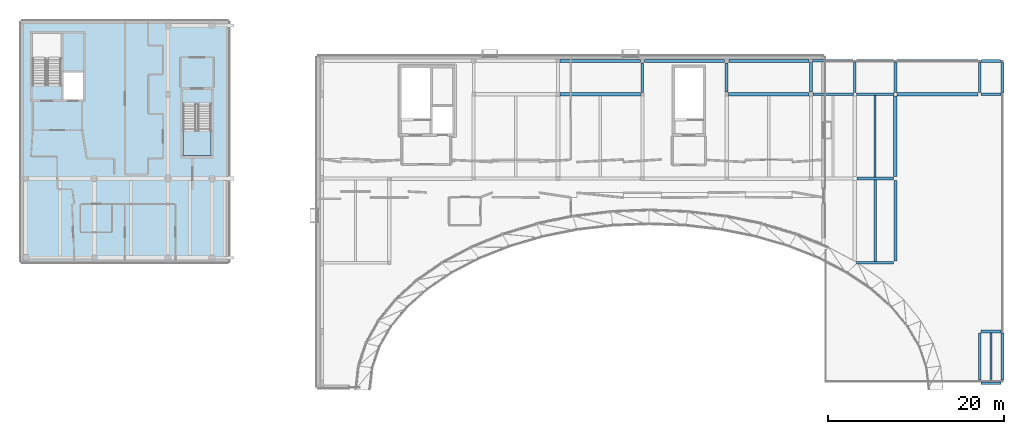
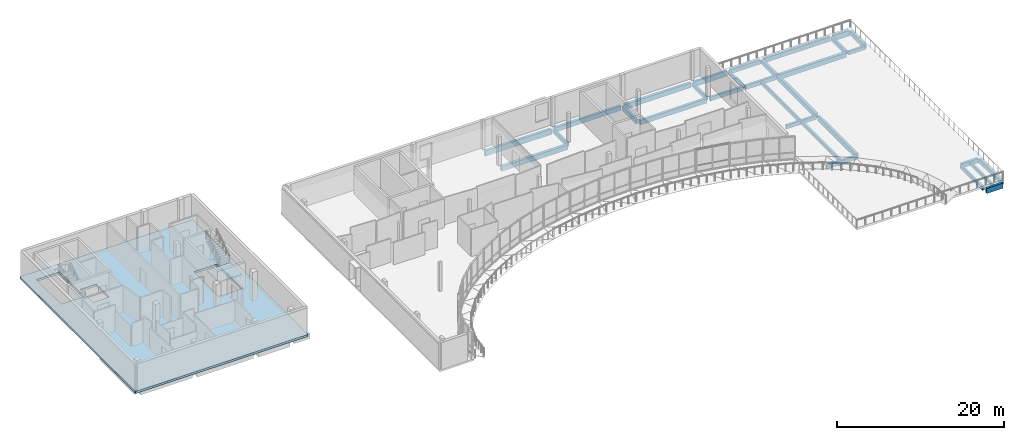
# One storey, part 8 of 18: 31 beams, 2 slabs, 1 element without a shape of its own.
"""IFC4 building model written with IfcOpenShell, lengths in metres."""

from ifc_helpers import new_model, si_unit, direction, frame, origin, origin_2d, place, context, subcontext, project, spatial, polyline, rectangle, outline, extrude, material, layer, layer_set, material_profile, profile_set, type_object, element, aggregate, save


model = new_model("IFC4")

# Units and contexts
model_context = context("Model", 3, precision=1e-05, world=origin(), true_north=direction((0.0, 1.0)))
body_context = subcontext(model_context, "Body", "Model", "MODEL_VIEW")
ifc_project = project(units=[si_unit("LENGTHUNIT", "METRE"), si_unit("AREAUNIT", "SQUARE_METRE"), si_unit("VOLUMEUNIT", "CUBIC_METRE"), si_unit("PLANEANGLEUNIT", "RADIAN"), si_unit("MASSUNIT", "GRAM", prefix="KILO")], contexts=[model_context])

# Site, building, storey
site_placement = place(None, origin())
site = spatial("IfcSite", under=ifc_project, at=site_placement, CompositionType="ELEMENT")
building_placement = place(site_placement, origin())
building = spatial("IfcBuilding", under=site, at=building_placement, Name="Mzevani Central Library", CompositionType="ELEMENT")
storey_placement = place(building_placement, frame((0.0, 0.0, 18.300048828125)))
storey = spatial("IfcBuildingStorey", under=building, at=storey_placement, Name="L04", CompositionType="ELEMENT", Elevation=18.300048828125)

# Beams
ifc_material_1 = material(Name="Concrete C35/45", Category="concrete")
ifc_material_profile_1 = material_profile(ifc_material_1, rectangle(XDim=0.300048828125, YDim=0.5, at=origin_2d()), Name="RC B300x500")
ifc_profile_set_1 = profile_set([ifc_material_profile_1], Name="Concrete C35/45")
beam_type_1 = type_object("IfcBeamType", Name="Beam RC 300x500", PredefinedType="BEAM", material=ifc_profile_set_1)
beam_1_placement = place(storey_placement, frame((121.77490234375, 109.60009765625, -0.550048828125), z_axis=(1.0, 0.0, 0.0), x_axis=(0.0, 1.0, 0.0)))
element("IfcBeam", 1, at=beam_1_placement, inside=storey, type_object=beam_type_1, Name="L04 V3 Girder B-01 (720)", PredefinedType="BEAM", context=body_context, shape_type="SweptSolid", body=[
    extrude(rectangle(XDim=0.300048828125, YDim=0.5, at=origin_2d()), origin(), (0.0, 0.0, 1.0), 2.25),
])
beam_2_placement = place(storey_placement, frame((107.39990234375, 109.77490234375, -0.550048828125), z_axis=(0.0, 1.0, 0.0), x_axis=(-1.0, 0.0, 0.0)))
element("IfcBeam", 2, at=beam_2_placement, inside=storey, type_object=beam_type_1, Name="L04 V3 Frame Beam B-01 (748)", PredefinedType="BEAM", context=body_context, shape_type="SweptSolid", body=[
    extrude(rectangle(XDim=0.300048828125, YDim=0.5, at=origin_2d()), origin(), (0.0, 0.0, 1.0), 3.425048828125),
])
beam_3_placement = place(storey_placement, frame((121.60009765625, 77.050048828125, -0.550048828125), z_axis=(0.0, 1.0, 0.0), x_axis=(-1.0, 0.0, 0.0)))
element("IfcBeam", 3, at=beam_3_placement, inside=storey, type_object=beam_type_1, Name="L04 V3 Frame Beam B-01 (752)", PredefinedType="BEAM", context=body_context, shape_type="SweptSolid", body=[
    extrude(rectangle(XDim=0.300048828125, YDim=0.5, at=origin_2d()), origin(), (0.0, 0.0, 1.0), 5.375),
])
ifc_material_profile_2 = material_profile(ifc_material_1, rectangle(XDim=0.300048828125, YDim=0.550048828125, at=origin_2d()), Name="RC B300x550")
ifc_profile_set_2 = profile_set([ifc_material_profile_2], Name="Concrete C35/45")
beam_type_2 = type_object("IfcBeamType", Name="Beam RC 300x550", PredefinedType="BEAM", material=ifc_profile_set_2)
beam_4_placement = place(storey_placement, frame((107.60009765625, 90.39990234375, -0.574951171875), z_axis=(1.0, 0.0, 0.0), x_axis=(0.0, 1.0, 0.0)))
element("IfcBeam", 4, at=beam_4_placement, inside=storey, type_object=beam_type_2, Name="L04 V3 Girder B-02 (705)", PredefinedType="BEAM", context=body_context, shape_type="SweptSolid", body=[
    extrude(rectangle(XDim=0.300048828125, YDim=0.550048828125, at=origin_2d()), origin(), (0.0, 0.0, 1.0), 4.199951171875),
])
beam_5_placement = place(storey_placement, frame((107.625, 100.0, -0.574951171875), z_axis=(1.0, 0.0, 0.0), x_axis=(0.0, 1.0, 0.0)))
element("IfcBeam", 5, at=beam_5_placement, inside=storey, type_object=beam_type_2, Name="L04 V3 Girder B-02 (713)", PredefinedType="BEAM", context=body_context, shape_type="SweptSolid", body=[
    extrude(rectangle(XDim=0.300048828125, YDim=0.550048828125, at=origin_2d()), origin(), (0.0, 0.0, 1.0), 4.14990234375),
])
beam_6_placement = place(storey_placement, frame((102.64990234375, 109.60009765625, -0.574951171875), z_axis=(1.0, 0.0, 0.0), x_axis=(0.0, 1.0, 0.0)))
element("IfcBeam", 6, at=beam_6_placement, inside=storey, type_object=beam_type_2, Name="L04 V3 Girder B-02 (717)", PredefinedType="BEAM", context=body_context, shape_type="SweptSolid", body=[
    extrude(rectangle(XDim=0.300048828125, YDim=0.550048828125, at=origin_2d()), origin(), (0.0, 0.0, 1.0), 4.5751953125),
])
beam_7_placement = place(storey_placement, frame((83.199951171875, 109.800048828125, -0.554931640625), z_axis=(0.0, 1.0, 0.0), x_axis=(-1.0, 0.0, 0.0)))
element("IfcBeam", 7, at=beam_7_placement, inside=storey, type_object=beam_type_2, Name="L04 V3 Frame Beam B-02 (741)", PredefinedType="BEAM", context=body_context, shape_type="SweptSolid", body=[
    extrude(rectangle(XDim=0.300048828125, YDim=0.550048828125, at=origin_2d()), origin(), (0.0, 0.0, 1.0), 3.375),
])
beam_8_placement = place(storey_placement, frame((102.39990234375, 109.85009765625, -0.554931640625), z_axis=(0.0, 1.0, 0.0), x_axis=(-1.0, 0.0, 0.0)))
element("IfcBeam", 8, at=beam_8_placement, inside=storey, type_object=beam_type_2, Name="L04 V3 Frame Beam B-02 (745)", PredefinedType="BEAM", context=body_context, shape_type="SweptSolid", body=[
    extrude(rectangle(XDim=0.300048828125, YDim=0.550048828125, at=origin_2d()), origin(), (0.0, 0.0, 1.0), 3.349853515625),
])
beam_9_placement = place(storey_placement, frame((121.60009765625, 109.77490234375, -0.574951171875), z_axis=(0.0, 1.0, 0.0), x_axis=(-1.0, 0.0, 0.0)))
element("IfcBeam", 9, at=beam_9_placement, inside=storey, type_object=beam_type_2, Name="L04 V3 Frame Beam B-02 (753)", PredefinedType="BEAM", context=body_context, shape_type="SweptSolid", body=[
    extrude(rectangle(XDim=0.300048828125, YDim=0.550048828125, at=origin_2d()), origin(), (0.0, 0.0, 1.0), 3.425048828125),
])
ifc_material_profile_3 = material_profile(ifc_material_1, rectangle(XDim=0.300048828125, YDim=0.60009765625, at=origin_2d()), Name="RC B300x600")
ifc_profile_set_3 = profile_set([ifc_material_profile_3], Name="Concrete C35/45")
beam_type_3 = type_object("IfcBeamType", Name="Beam RC 300x600", PredefinedType="BEAM", material=ifc_profile_set_3)
beam_10_placement = place(storey_placement, frame((107.574951171875, 109.60009765625, -0.60009765625), z_axis=(1.0, 0.0, 0.0), x_axis=(0.0, 1.0, 0.0)))
element("IfcBeam", 10, at=beam_10_placement, inside=storey, type_object=beam_type_3, Name="L04 V3 Girder B-03 (718)", PredefinedType="BEAM", context=body_context, shape_type="SweptSolid", body=[
    extrude(rectangle(XDim=0.300048828125, YDim=0.60009765625, at=origin_2d()), origin(), (0.0, 0.0, 1.0), 4.25),
])
beam_11_placement = place(storey_placement, frame((124.199951171875, 77.050048828125, -0.60009765625), z_axis=(0.0, 1.0, 0.0), x_axis=(-1.0, 0.0, 0.0)))
element("IfcBeam", 11, at=beam_11_placement, inside=storey, type_object=beam_type_3, Name="L04 V3 Frame Beam B-03 (754)", PredefinedType="BEAM", context=body_context, shape_type="SweptSolid", body=[
    extrude(rectangle(XDim=0.300048828125, YDim=0.60009765625, at=origin_2d()), origin(), (0.0, 0.0, 1.0), 5.375),
])
ifc_material_profile_4 = material_profile(ifc_material_1, rectangle(XDim=0.35009765625, YDim=0.60009765625, at=origin_2d()), Name="RC B350x600")
ifc_profile_set_4 = profile_set([ifc_material_profile_4], Name="Concrete C35/45")
beam_type_4 = type_object("IfcBeamType", Name="Beam RC 350x600", PredefinedType="BEAM", material=ifc_profile_set_4)
beam_12_placement = place(storey_placement, frame((121.77490234375, 82.60009765625, -0.60009765625), z_axis=(1.0, 0.0, 0.0), x_axis=(0.0, 1.0, 0.0)))
element("IfcBeam", 12, at=beam_12_placement, inside=storey, type_object=beam_type_4, Name="L04 V3 Girder B-04 (703)", PredefinedType="BEAM", context=body_context, shape_type="SweptSolid", body=[
    extrude(rectangle(XDim=0.35009765625, YDim=0.60009765625, at=origin_2d()), origin(), (0.0, 0.0, 1.0), 2.25),
])
beam_13_placement = place(storey_placement, frame((107.60009765625, 113.39990234375, -0.60009765625), z_axis=(1.0, 0.0, 0.0), x_axis=(0.0, 1.0, 0.0)))
element("IfcBeam", 13, at=beam_13_placement, inside=storey, type_object=beam_type_4, Name="L04 V3 Girder B-04 (727)", PredefinedType="BEAM", context=body_context, shape_type="SweptSolid", body=[
    extrude(rectangle(XDim=0.35009765625, YDim=0.60009765625, at=origin_2d()), origin(), (0.0, 0.0, 1.0), 4.199951171875),
])
beam_14_placement = place(storey_placement, frame((92.800048828125, 109.824951171875, -0.580078125), z_axis=(0.0, 1.0, 0.0), x_axis=(-1.0, 0.0, 0.0)))
element("IfcBeam", 14, at=beam_14_placement, inside=storey, type_object=beam_type_4, Name="L04 V3 Frame Beam B-04 (743)", PredefinedType="BEAM", context=body_context, shape_type="SweptSolid", body=[
    extrude(rectangle(XDim=0.35009765625, YDim=0.60009765625, at=origin_2d()), origin(), (0.0, 0.0, 1.0), 3.324951171875),
])
for number, where, z_axis, x_axis, name in (
    (15, (112.0, 109.77490234375, -0.60009765625), (0.0, 1.0, 0.0), (-1.0, 0.0, 0.0), "L04 V3 Frame Beam B-04 (751)"),
    (16, (124.199951171875, 109.77490234375, -0.60009765625), (0.0, 1.0, 0.0), (-1.0, 0.0, 0.0), "L04 V3 Frame Beam B-04 (755)"),
):
    element("IfcBeam", number, at=place(storey_placement, frame(where, z_axis=z_axis, x_axis=x_axis)), inside=storey, type_object=beam_type_4, Name=name, PredefinedType="BEAM", context=body_context, shape_type="SweptSolid", body=[
        extrude(rectangle(XDim=0.35009765625, YDim=0.60009765625, at=origin_2d()), origin(), (0.0, 0.0, 1.0), 3.425048828125),
    ])
ifc_material_profile_5 = material_profile(ifc_material_1, rectangle(XDim=0.35009765625, YDim=0.64990234375, at=origin_2d()), Name="RC B350x650")
ifc_profile_set_5 = profile_set([ifc_material_profile_5], Name="Concrete C35/45")
beam_type_5 = type_object("IfcBeamType", Name="Beam RC 350x650", PredefinedType="BEAM", material=ifc_profile_set_5)
for number, where, z_axis, x_axis, name in (
    (17, (93.02490234375, 109.60009765625, -0.60498046875), (1.0, 0.0, 0.0), (0.0, 1.0, 0.0), "L04 V3 Girder B-05 (716)"),
    (18, (83.425048828125, 113.39990234375, -0.60498046875), (1.0, 0.0, 0.0), (0.0, 1.0, 0.0), "L04 V3 Girder B-05 (724)"),
):
    element("IfcBeam", number, at=place(storey_placement, frame(where, z_axis=z_axis, x_axis=x_axis)), inside=storey, type_object=beam_type_5, Name=name, PredefinedType="BEAM", context=body_context, shape_type="SweptSolid", body=[
        extrude(rectangle(XDim=0.35009765625, YDim=0.64990234375, at=origin_2d()), origin(), (0.0, 0.0, 1.0), 9.125),
    ])
beam_15_placement = place(storey_placement, frame((112.199951171875, 113.39990234375, -0.625), z_axis=(1.0, 0.0, 0.0), x_axis=(0.0, 1.0, 0.0)))
element("IfcBeam", 19, at=beam_15_placement, inside=storey, type_object=beam_type_5, Name="L04 V3 Girder B-05 (728)", PredefinedType="BEAM", context=body_context, shape_type="SweptSolid", body=[
    extrude(rectangle(XDim=0.35009765625, YDim=0.64990234375, at=origin_2d()), origin(), (0.0, 0.0, 1.0), 9.199951171875),
])
ifc_material_profile_6 = material_profile(ifc_material_1, rectangle(XDim=0.35009765625, YDim=0.699951171875, at=origin_2d()), Name="RC B350x700")
ifc_profile_set_6 = profile_set([ifc_material_profile_6], Name="Concrete C35/45")
beam_type_6 = type_object("IfcBeamType", Name="Beam RC 350x700", PredefinedType="BEAM", material=ifc_profile_set_6)
beam_16_placement = place(storey_placement, frame((93.050048828125, 113.39990234375, -0.630126953125), z_axis=(1.0, 0.0, 0.0), x_axis=(0.0, 1.0, 0.0)))
element("IfcBeam", 20, at=beam_16_placement, inside=storey, type_object=beam_type_6, Name="L04 V3 Girder B-06 (725)", PredefinedType="BEAM", context=body_context, shape_type="SweptSolid", body=[
    extrude(rectangle(XDim=0.35009765625, YDim=0.699951171875, at=origin_2d()), origin(), (0.0, 0.0, 1.0), 9.14990234375),
])
beam_17_placement = place(storey_placement, frame((112.0, 90.60009765625, -0.650146484375), z_axis=(0.0, 1.0, 0.0), x_axis=(-1.0, 0.0, 0.0)))
element("IfcBeam", 21, at=beam_17_placement, inside=storey, type_object=beam_type_6, Name="L04 V3 Frame Beam B-06 (749)", PredefinedType="BEAM", context=body_context, shape_type="SweptSolid", body=[
    extrude(rectangle(XDim=0.35009765625, YDim=0.699951171875, at=origin_2d()), origin(), (0.0, 0.0, 1.0), 9.1748046875),
])
ifc_material_profile_7 = material_profile(ifc_material_1, rectangle(XDim=0.39990234375, YDim=0.64990234375, at=origin_2d()), Name="RC B400x650")
ifc_profile_set_7 = profile_set([ifc_material_profile_7], Name="Concrete C35/45")
beam_type_7 = type_object("IfcBeamType", Name="Beam RC 400x650", PredefinedType="BEAM", material=ifc_profile_set_7)
beam_18_placement = place(storey_placement, frame((112.0, 100.22509765625, -0.625), z_axis=(0.0, 1.0, 0.0), x_axis=(-1.0, 0.0, 0.0)))
element("IfcBeam", 22, at=beam_18_placement, inside=storey, type_object=beam_type_7, Name="L04 V3 Frame Beam B-07 (750)", PredefinedType="BEAM", context=body_context, shape_type="SweptSolid", body=[
    extrude(rectangle(XDim=0.39990234375, YDim=0.64990234375, at=origin_2d()), origin(), (0.0, 0.0, 1.0), 9.199951171875),
])
ifc_material_profile_8 = material_profile(ifc_material_1, rectangle(XDim=0.39990234375, YDim=0.699951171875, at=origin_2d()), Name="RC B400x700")
ifc_profile_set_8 = profile_set([ifc_material_profile_8], Name="Concrete C35/45")
beam_type_8 = type_object("IfcBeamType", Name="Beam RC 400x700", PredefinedType="BEAM", material=ifc_profile_set_8)
beam_19_placement = place(storey_placement, frame((73.85009765625, 109.60009765625, -0.630126953125), z_axis=(1.0, 0.0, 0.0), x_axis=(0.0, 1.0, 0.0)))
element("IfcBeam", 23, at=beam_19_placement, inside=storey, type_object=beam_type_8, Name="L04 V3 Girder B-08 (715)", PredefinedType="BEAM", context=body_context, shape_type="SweptSolid", body=[
    extrude(rectangle(XDim=0.39990234375, YDim=0.699951171875, at=origin_2d()), origin(), (0.0, 0.0, 1.0), 9.14990234375),
])
beam_20_placement = place(storey_placement, frame((112.175048828125, 109.60009765625, -0.650146484375), z_axis=(1.0, 0.0, 0.0), x_axis=(0.0, 1.0, 0.0)))
element("IfcBeam", 24, at=beam_20_placement, inside=storey, type_object=beam_type_8, Name="L04 V3 Girder B-08 (719)", PredefinedType="BEAM", context=body_context, shape_type="SweptSolid", body=[
    extrude(rectangle(XDim=0.39990234375, YDim=0.699951171875, at=origin_2d()), origin(), (0.0, 0.0, 1.0), 9.25),
])
ifc_material_2 = material(Name="Precast concrete C40/50", Category="concrete")
ifc_material_profile_9 = material_profile(ifc_material_2, rectangle(XDim=0.35009765625, YDim=0.800048828125, at=origin_2d()), Name="RC SP350x800")
ifc_profile_set_9 = profile_set([ifc_material_profile_9], Name="Precast concrete C40/50")
beam_type_9 = type_object("IfcBeamType", Name="Colonnade Fascia Beam RC 350x800", PredefinedType="SPANDREL", material=ifc_profile_set_9)
beam_21_placement = place(storey_placement, frame((73.800048828125, 113.39990234375, -0.679931640625), z_axis=(1.0, 0.0, 0.0), x_axis=(0.0, 1.0, 0.0)))
element("IfcBeam", 25, at=beam_21_placement, inside=storey, type_object=beam_type_9, Name="L04 V3 Girder SP-02 (723)", PredefinedType="SPANDREL", context=body_context, shape_type="SweptSolid", body=[
    extrude(rectangle(XDim=0.35009765625, YDim=0.800048828125, at=origin_2d()), origin(), (0.0, 0.0, 1.0), 9.175048828125),
])
beam_22_placement = place(storey_placement, frame((121.800048828125, 113.39990234375, -0.699951171875), z_axis=(1.0, 0.0, 0.0), x_axis=(0.0, 1.0, 0.0)))
element("IfcBeam", 26, at=beam_22_placement, inside=storey, type_object=beam_type_9, Name="L04 V3 Girder SP-02 (729)", PredefinedType="SPANDREL", context=body_context, shape_type="SweptSolid", body=[
    extrude(rectangle(XDim=0.35009765625, YDim=0.800048828125, at=origin_2d()), origin(), (0.0, 0.0, 1.0), 2.199951171875),
])
ifc_material_profile_10 = material_profile(ifc_material_2, rectangle(XDim=0.300048828125, YDim=0.75, at=origin_2d()), Name="RC SP300x750")
ifc_profile_set_10 = profile_set([ifc_material_profile_10], Name="Precast concrete C40/50")
beam_type_10 = type_object("IfcBeamType", Name="Edge Spandrel Beam RC 300x750", PredefinedType="SPANDREL", material=ifc_profile_set_10)
beam_23_placement = place(storey_placement, frame((121.77490234375, 76.699951171875, -0.675048828125), z_axis=(1.0, 0.0, 0.0), x_axis=(0.0, 1.0, 0.0)))
element("IfcBeam", 27, at=beam_23_placement, inside=storey, type_object=beam_type_10, Name="L04 V3 Girder SP-01 (702)", PredefinedType="SPANDREL", context=body_context, shape_type="SweptSolid", body=[
    extrude(rectangle(XDim=0.300048828125, YDim=0.75, at=origin_2d()), origin(), (0.0, 0.0, 1.0), 2.25),
])
beam_24_placement = place(storey_placement, frame((102.60009765625, 113.39990234375, -0.675048828125), z_axis=(1.0, 0.0, 0.0), x_axis=(0.0, 1.0, 0.0)))
element("IfcBeam", 28, at=beam_24_placement, inside=storey, type_object=beam_type_10, Name="L04 V3 Girder SP-01 (726)", PredefinedType="SPANDREL", context=body_context, shape_type="SweptSolid", body=[
    extrude(rectangle(XDim=0.300048828125, YDim=0.75, at=origin_2d()), origin(), (0.0, 0.0, 1.0), 4.599853515625),
])
ifc_material_profile_11 = material_profile(ifc_material_1, rectangle(XDim=0.25, YDim=0.449951171875, at=origin_2d()), Name="RC J250x450")
ifc_profile_set_11 = profile_set([ifc_material_profile_11], Name="Concrete C35/45")
beam_type_11 = type_object("IfcBeamType", Name="Floor Joist RC 250x450", PredefinedType="JOIST", material=ifc_profile_set_11)
beam_25_placement = place(storey_placement, frame((122.89990234375, 76.85009765625, -0.525146484375), z_axis=(0.0, 1.0, 0.0), x_axis=(-1.0, 0.0, 0.0)))
element("IfcBeam", 29, at=beam_25_placement, inside=storey, type_object=beam_type_11, Name="L04 V3 Floor Joist BJ-01 (756)", PredefinedType="JOIST", context=body_context, shape_type="SweptSolid", body=[
    extrude(rectangle(XDim=0.25, YDim=0.449951171875, at=origin_2d()), origin(), (0.0, 0.0, 1.0), 5.574951171875),
])
ifc_material_profile_12 = material_profile(ifc_material_1, rectangle(XDim=0.25, YDim=0.5, at=origin_2d()), Name="RC J250x500")
ifc_profile_set_12 = profile_set([ifc_material_profile_12], Name="Concrete C35/45")
beam_type_12 = type_object("IfcBeamType", Name="Floor Joist RC 250x500", PredefinedType="JOIST", material=ifc_profile_set_12)
beam_26_placement = place(storey_placement, frame((109.699951171875, 100.14990234375, -0.550048828125), z_axis=(0.0, 1.0, 0.0), x_axis=(-1.0, 0.0, 0.0)))
element("IfcBeam", 30, at=beam_26_placement, inside=storey, type_object=beam_type_12, Name="L04 V3 Floor Joist BJ-02 (763)", PredefinedType="JOIST", context=body_context, shape_type="SweptSolid", body=[
    extrude(rectangle(XDim=0.25, YDim=0.5, at=origin_2d()), origin(), (0.0, 0.0, 1.0), 9.300048828125),
])
ifc_material_profile_13 = material_profile(ifc_material_1, rectangle(XDim=0.300048828125, YDim=0.449951171875, at=origin_2d()), Name="RC J300x450")
ifc_profile_set_13 = profile_set([ifc_material_profile_13], Name="Concrete C35/45")
beam_type_13 = type_object("IfcBeamType", Name="Floor Joist RC 300x450", PredefinedType="JOIST", material=ifc_profile_set_13)
beam_27_placement = place(storey_placement, frame((109.699951171875, 90.550048828125, -0.525146484375), z_axis=(0.0, 1.0, 0.0), x_axis=(-1.0, 0.0, 0.0)))
element("IfcBeam", 31, at=beam_27_placement, inside=storey, type_object=beam_type_13, Name="L04 V3 Floor Joist BJ-03 (758)", PredefinedType="JOIST", context=body_context, shape_type="SweptSolid", body=[
    extrude(rectangle(XDim=0.300048828125, YDim=0.449951171875, at=origin_2d()), origin(), (0.0, 0.0, 1.0), 9.300048828125),
])

# Slab
ifc_material_3 = material(Name="Concrete C40/50", Category="concrete")
ifc_layer_1 = layer(ifc_material_3, 0.320068359375, Name="Compact Stack Floor Slab 320")
ifc_layer_set_1 = layer_set([ifc_layer_1], Name="Concrete C40/50")
slab_type_1 = type_object("IfcSlabType", Name="Compact Stack Floor Slab 320", PredefinedType="FLOOR", material=ifc_layer_set_1)
slab_1_placement = place(storey_placement, frame((0.0, 0.0, -0.320068359375)))
element("IfcSlab", 32, at=slab_1_placement, inside=storey, type_object=slab_type_1, Name="L04 V2 Structural Slab FS-04", PredefinedType="FLOOR", context=body_context, shape_type="SweptSolid", body=[
    extrude(outline(polyline([(36.199951171875, 90.39990234375), (12.39990234375, 90.39990234375), (12.39990234375, 118.0), (36.199951171875, 118.0), (36.199951171875, 90.39990234375)]), holes=[polyline([(17.0, 110.60009765625), (17.0, 116.5), (13.800048828125, 116.5), (13.800048828125, 110.60009765625), (17.0, 110.60009765625)]), polyline([(17.300048828125, 109.0), (19.5, 109.0), (19.5, 112.10009765625), (17.300048828125, 112.10009765625), (17.300048828125, 109.0)]), polyline([(30.89990234375, 108.5), (30.89990234375, 102.60009765625), (34.10009765625, 102.60009765625), (34.10009765625, 108.5), (30.89990234375, 108.5)])]), origin(), (0.0, 0.0, 1.0), 0.320068359375),
])

# Stair, slab
stair_type = type_object("IfcStairType", Name="Dogleg Exit Stair 175x280", PredefinedType="HALF_TURN_STAIR", material=ifc_material_1)
stair_placement = place(storey_placement, origin())
stair = element("IfcStair", 33, at=stair_placement, inside=storey, type_object=stair_type, Name="L04 Core C2B Stacks East Escape Stair Exit Stair ST-02", PredefinedType="HALF_TURN_STAIR")
ifc_layer_2 = layer(ifc_material_1, 0.199951171875, Name="Stair Landing Slab 200")
ifc_layer_set_2 = layer_set([ifc_layer_2], Name="Concrete C35/45")
slab_type_2 = type_object("IfcSlabType", Name="Stair Landing Slab 200", PredefinedType="LANDING", material=ifc_layer_set_2)
slab_2_placement = place(storey_placement, frame((0.0, 0.0, 1.89990234375)))
slab_2 = element("IfcSlab", 34, at=slab_2_placement, type_object=slab_type_2, Name="ST-04 landing 1", PredefinedType="LANDING", context=body_context, shape_type="SweptSolid", body=[
    extrude(outline(polyline([(30.89990234375, 105.419921875), (30.89990234375, 102.60009765625), (34.10009765625, 102.60009765625), (34.10009765625, 105.419921875), (30.89990234375, 105.419921875)])), origin(), (0.0, 0.0, 1.0), 0.199951171875),
])
aggregate(stair, [slab_2])

save(model, "model.ifc")
